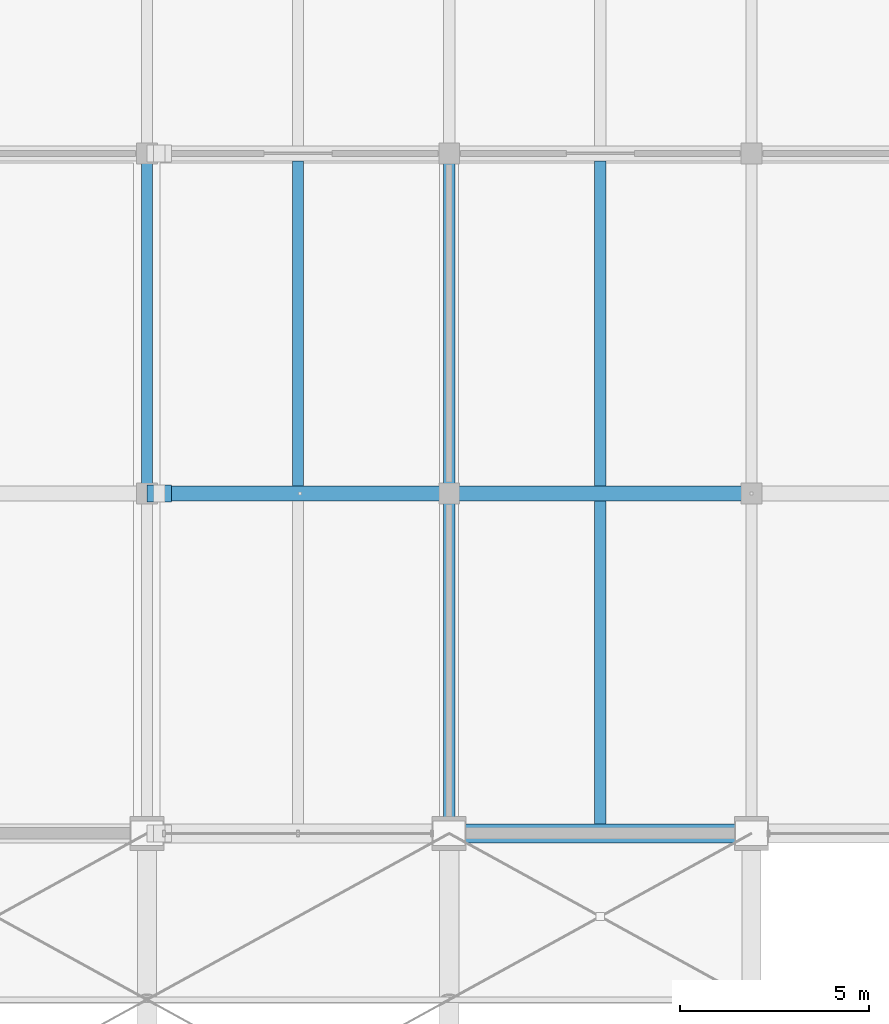
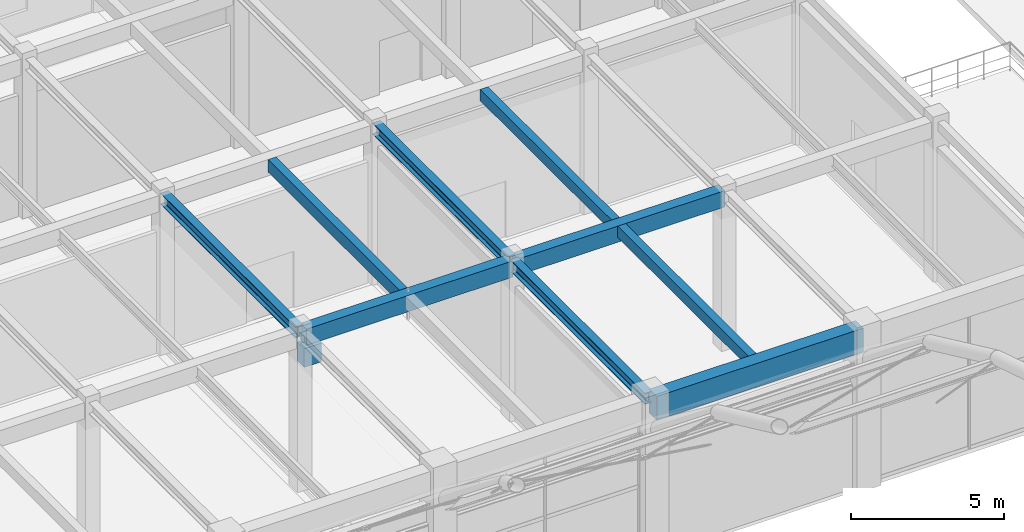
# One storey, part 89 of 163: 10 beams.
"""IFC4 building model written with IfcOpenShell, lengths in metres."""

from ifc_helpers import new_model, si_unit, direction, frame, origin, origin_2d, place, context, subcontext, project, spatial, rectangle, i_section, extrude, material, material_profile, profile_set, type_object, element, save


model = new_model("IFC4")

# Units and contexts
model_context = context("Model", 3, precision=1e-05, world=origin(), true_north=direction((0.0, 1.0)))
body_context = subcontext(model_context, "Body", "Model", "MODEL_VIEW")
ifc_project = project(units=[si_unit("LENGTHUNIT", "METRE"), si_unit("AREAUNIT", "SQUARE_METRE"), si_unit("VOLUMEUNIT", "CUBIC_METRE"), si_unit("PLANEANGLEUNIT", "RADIAN"), si_unit("MASSUNIT", "GRAM", prefix="KILO")], contexts=[model_context])

# Site, building, storey
site_placement = place(None, origin())
site = spatial("IfcSite", under=ifc_project, at=site_placement, CompositionType="ELEMENT")
building_placement = place(site_placement, origin())
building = spatial("IfcBuilding", under=site, at=building_placement, Name="Varnabhumi Central Station", CompositionType="ELEMENT")
storey_placement = place(building_placement, frame((0.0, 0.0, 9.60009765625)))
storey = spatial("IfcBuildingStorey", under=building, at=storey_placement, Name="L02", CompositionType="ELEMENT", Elevation=9.60009765625)

# Beams
ifc_material_1 = material(Name="Concrete M40", Category="concrete")
ifc_material_profile_1 = material_profile(ifc_material_1, rectangle(XDim=0.300048828125, YDim=0.449951171875, at=origin_2d()), Name="Concrete M40", Category="concrete")
ifc_profile_set_1 = profile_set([ifc_material_profile_1], Name="Concrete M40")
beam_type_1 = type_object("IfcBeamType", Name="BM-RC-300x450", PredefinedType="JOIST", material=ifc_profile_set_1)
beam_1_placement = place(storey_placement, frame((132.0, 80.25, 6.125), z_axis=(0.0, 1.0, 0.0), x_axis=(-1.0, 0.0, 0.0)))
element("IfcBeam", 1, at=beam_1_placement, inside=storey, type_object=beam_type_1, Name="Secondary Joist L02-17/18:K-L", PredefinedType="JOIST", context=body_context, shape_type="SweptSolid", body=[
    extrude(rectangle(XDim=0.300048828125, YDim=0.449951171875, at=origin_2d()), origin(), (0.0, 0.0, 1.0), 8.550048828125),
])
beam_2_placement = place(storey_placement, frame((132.0, 89.199951171875, 6.125), z_axis=(0.0, 1.0, 0.0), x_axis=(-1.0, 0.0, 0.0)))
element("IfcBeam", 2, at=beam_2_placement, inside=storey, type_object=beam_type_1, Name="Secondary Joist L02-17/18:L-M", PredefinedType="JOIST", context=body_context, shape_type="SweptSolid", body=[
    extrude(rectangle(XDim=0.300048828125, YDim=0.449951171875, at=origin_2d()), origin(), (0.0, 0.0, 1.0), 8.60009765625),
])
ifc_material_profile_2 = material_profile(ifc_material_1, rectangle(XDim=0.300048828125, YDim=0.5, at=origin_2d()), Name="Concrete M40", Category="concrete")
ifc_profile_set_2 = profile_set([ifc_material_profile_2], Name="Concrete M40")
beam_type_2 = type_object("IfcBeamType", Name="BM-RC-300x500", PredefinedType="JOIST", material=ifc_profile_set_2)
beam_3_placement = place(storey_placement, frame((124.0, 89.199951171875, 6.099853515625), z_axis=(0.0, 1.0, 0.0), x_axis=(-1.0, 0.0, 0.0)))
element("IfcBeam", 3, at=beam_3_placement, inside=storey, type_object=beam_type_2, Name="Secondary Joist L02-16/17:L-M", PredefinedType="JOIST", context=body_context, shape_type="SweptSolid", body=[
    extrude(rectangle(XDim=0.300048828125, YDim=0.5, at=origin_2d()), origin(), (0.0, 0.0, 1.0), 8.60009765625),
])
ifc_material_profile_3 = material_profile(ifc_material_1, rectangle(XDim=0.39990234375, YDim=0.64990234375, at=origin_2d()), Name="Concrete M40", Category="concrete")
ifc_profile_set_3 = profile_set([ifc_material_profile_3], Name="Concrete M40")
beam_type_3 = type_object("IfcBeamType", Name="BM-RC-400x650", PredefinedType="BEAM", material=ifc_profile_set_3)
for number, where, z_axis, x_axis, name in (
    (4, (120.10009765625, 89.0, 6.02490234375), (1.0, 0.0, 0.0), (0.0, 1.0, 0.0), "Beam L02-L:16-17"),
    (5, (128.10009765625, 89.0, 6.02490234375), (1.0, 0.0, 0.0), (0.0, 1.0, 0.0), "Beam L02-L:17-18"),
):
    element("IfcBeam", number, at=place(storey_placement, frame(where, z_axis=z_axis, x_axis=x_axis)), inside=storey, type_object=beam_type_3, Name=name, PredefinedType="BEAM", context=body_context, shape_type="SweptSolid", body=[
        extrude(rectangle(XDim=0.39990234375, YDim=0.64990234375, at=origin_2d()), origin(), (0.0, 0.0, 1.0), 7.7998046875),
    ])
ifc_material_profile_4 = material_profile(ifc_material_1, rectangle(XDim=0.449951171875, YDim=0.75, at=origin_2d()), Name="Concrete M40", Category="concrete")
ifc_profile_set_4 = profile_set([ifc_material_profile_4], Name="Concrete M40")
beam_type_4 = type_object("IfcBeamType", Name="BM-RC-450x750", PredefinedType="BEAM", material=ifc_profile_set_4)
beam_4_placement = place(storey_placement, frame((120.0, 89.0, 5.244873046875), z_axis=(1.0, 0.0, 0.0), x_axis=(0.0, 1.0, 0.0)))
element("IfcBeam", 6, at=beam_4_placement, inside=storey, type_object=beam_type_4, Name="Movement Joint 650mm Corbel Seat L02-L-16", PredefinedType="BEAM", context=body_context, shape_type="SweptSolid", body=[
    extrude(rectangle(XDim=0.449951171875, YDim=0.75, at=origin_2d()), origin(), (0.0, 0.0, 1.0), 0.64990234375),
])
ifc_material_profile_5 = material_profile(ifc_material_1, rectangle(XDim=0.5, YDim=0.949951171875, at=origin_2d()), Name="Concrete M40", Category="concrete")
ifc_profile_set_5 = profile_set([ifc_material_profile_5], Name="Concrete M40")
beam_type_5 = type_object("IfcBeamType", Name="BM-RC-950x500", PredefinedType="BEAM", material=ifc_profile_set_5)
beam_5_placement = place(storey_placement, frame((128.10009765625, 80.0, 5.875), z_axis=(1.0, 0.0, 0.0), x_axis=(0.0, 1.0, 0.0)))
element("IfcBeam", 7, at=beam_5_placement, inside=storey, type_object=beam_type_5, Name="Beam L02-K:17-18", PredefinedType="BEAM", context=body_context, shape_type="SweptSolid", body=[
    extrude(rectangle(XDim=0.5, YDim=0.949951171875, at=origin_2d()), origin(), (0.0, 0.0, 1.0), 7.7998046875),
])
ifc_material_2 = material(Name="Structural steel E350", Category="steel")
ifc_material_profile_6 = material_profile(ifc_material_2, i_section(OverallWidth=0.300048828125, OverallDepth=0.449951171875, WebThickness=0.013916015625, FlangeThickness=0.02587890625, FilletRadius=0.027099609375, at=origin_2d()), Name="Structural steel E350", Category="steel")
ifc_profile_set_6 = profile_set([ifc_material_profile_6], Name="Structural steel E350")
beam_type_6 = type_object("IfcBeamType", Name="BM-STL-WPB450", PredefinedType="BEAM", material=ifc_profile_set_6)
for number, where, z_axis, x_axis, name in (
    (8, (128.0, 80.10009765625, 6.125), (0.0, 1.0, 0.0), (-1.0, 0.0, 0.0), "Beam L02-17:K-L"),
    (9, (120.0, 89.10009765625, 6.125), (0.0, 1.0, 0.0), (-1.0, 0.0, 0.0), "Beam L02-16:L-M"),
    (10, (128.0, 89.10009765625, 6.125), (0.0, 1.0, 0.0), (-1.0, 0.0, 0.0), "Beam L02-17:L-M"),
):
    element("IfcBeam", number, at=place(storey_placement, frame(where, z_axis=z_axis, x_axis=x_axis)), inside=storey, type_object=beam_type_6, Name=name, PredefinedType="BEAM", context=body_context, shape_type="SweptSolid", body=[
        extrude(i_section(OverallWidth=0.300048828125, OverallDepth=0.449951171875, WebThickness=0.013916015625, FlangeThickness=0.02587890625, FilletRadius=0.027099609375, at=origin_2d()), origin(), (0.0, 0.0, 1.0), 8.7998046875),
    ])

save(model, "model.ifc")
